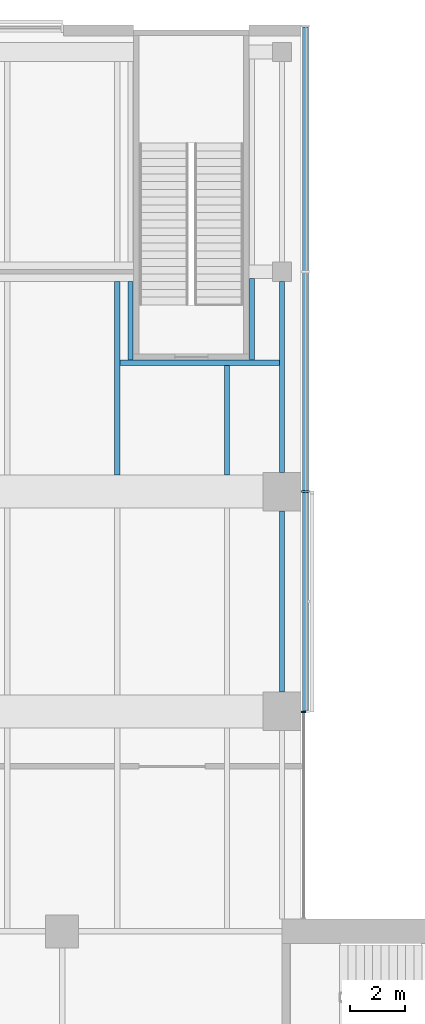
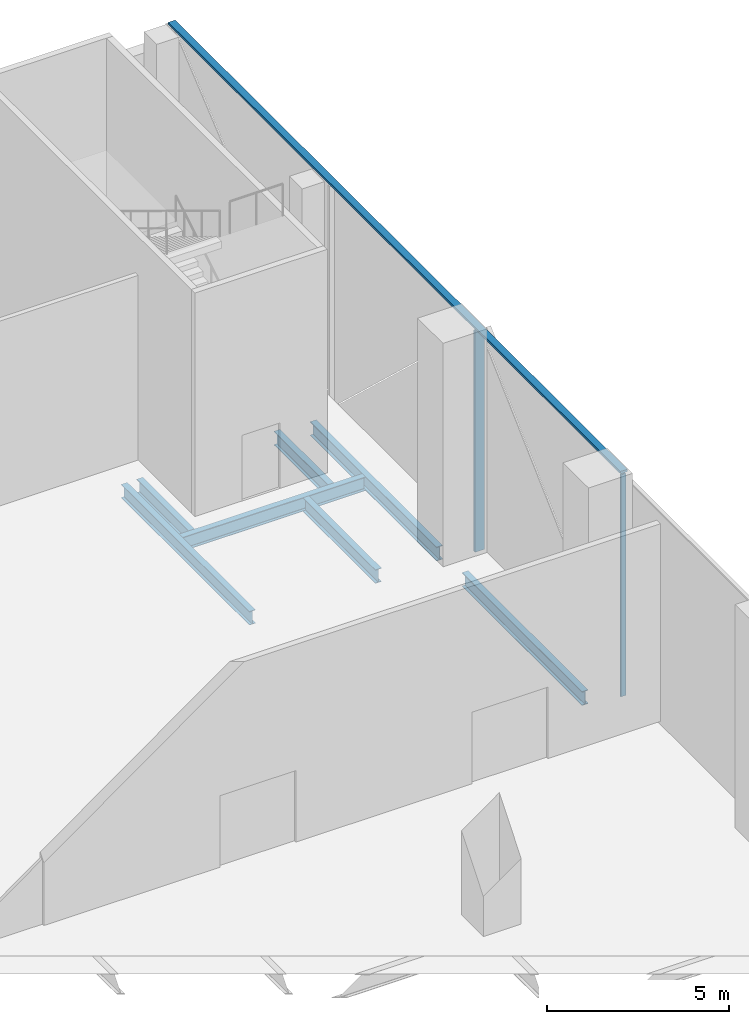
# One storey, part 10 of 25: 7 beams, 3 members, 2 elements without a shape of their own.
"""IFC4 building model written with IfcOpenShell, lengths in metres."""

from ifc_helpers import new_model, si_unit, direction, frame, origin, origin_2d, place, context, subcontext, project, spatial, rectangle, i_section, extrude, material, material_profile, profile_set, type_object, element, aggregate, save


model = new_model("IFC4")

# Units and contexts
model_context = context("Model", 3, precision=1e-05, world=origin(), true_north=direction((0.0, 1.0)))
body_context = subcontext(model_context, "Body", "Model", "MODEL_VIEW")
ifc_project = project(units=[si_unit("LENGTHUNIT", "METRE"), si_unit("AREAUNIT", "SQUARE_METRE"), si_unit("VOLUMEUNIT", "CUBIC_METRE"), si_unit("PLANEANGLEUNIT", "RADIAN"), si_unit("MASSUNIT", "GRAM", prefix="KILO")], contexts=[model_context])

# Site, building, storey
site_placement = place(None, origin())
site = spatial("IfcSite", under=ifc_project, at=site_placement, CompositionType="ELEMENT")
building_placement = place(site_placement, origin())
building = spatial("IfcBuilding", under=site, at=building_placement, Name="Crosswind Convention Tower", CompositionType="ELEMENT")
storey_placement = place(building_placement, frame((0.0, 0.0, 34.0)))
storey = spatial("IfcBuildingStorey", under=building, at=storey_placement, Name="L04", CompositionType="ELEMENT", Elevation=34.0)

# Beams
ifc_material_1 = material(Name="Steel S355", Category="steel")
ifc_material_profile_1 = material_profile(ifc_material_1, i_section(OverallWidth=0.19287109375, OverallDepth=0.467529296875, WebThickness=0.011474609375, FlangeThickness=0.01953125, FilletRadius=0.01025390625, at=origin_2d()), Name="UB 457x191x98")
ifc_profile_set_1 = profile_set([ifc_material_profile_1], Name="Steel S355")
beam_type_1 = type_object("IfcBeamType", Name="Edge beam UB 457x191x98", PredefinedType="SPANDREL", material=ifc_profile_set_1)
beam_1_placement = place(storey_placement, frame((137.0, 120.699951171875, -0.6337890625), z_axis=(0.0, 1.0, 0.0), x_axis=(-1.0, 0.0, 0.0)))
element("IfcBeam", 1, at=beam_1_placement, inside=storey, type_object=beam_type_1, Name="B20 L04 edge beam 18", PredefinedType="SPANDREL", context=body_context, shape_type="SweptSolid", body=[
    extrude(i_section(OverallWidth=0.19287109375, OverallDepth=0.467529296875, WebThickness=0.011474609375, FlangeThickness=0.01953125, FilletRadius=0.01025390625, at=origin_2d()), origin(), (0.0, 0.0, 1.0), 6.60009765625),
])
beam_2_placement = place(storey_placement, frame((137.0, 128.699951171875, -0.6337890625), z_axis=(0.0, 1.0, 0.0), x_axis=(-1.0, 0.0, 0.0)))
element("IfcBeam", 2, at=beam_2_placement, inside=storey, type_object=beam_type_1, Name="B20 L04 edge beam 19", PredefinedType="SPANDREL", context=body_context, shape_type="SweptSolid", body=[
    extrude(i_section(OverallWidth=0.19287109375, OverallDepth=0.467529296875, WebThickness=0.011474609375, FlangeThickness=0.01953125, FilletRadius=0.01025390625, at=origin_2d()), origin(), (0.0, 0.0, 1.0), 6.949951171875),
])

# Curtain wall, member
ifc_material_2 = material(Name="Aluminium unitised curtain wall", Category="aluminium")
curtain_wall_type_1 = type_object("IfcCurtainWallType", Name="CORE END SLOT WALL 160", PredefinedType="USERDEFINED", material=ifc_material_2)
curtain_wall_1_placement = place(storey_placement, origin())
curtain_wall_1 = element("IfcCurtainWall", 3, at=curtain_wall_1_placement, inside=storey, type_object=curtain_wall_type_1, Name="CW6 L04 N-E.1-1 slot", ObjectType="UNITISED", PredefinedType="USERDEFINED")
ifc_material_3 = material(Name="Aluminium mullion", Category="aluminium")
ifc_material_profile_2 = material_profile(ifc_material_3, rectangle(XDim=0.159912109375, YDim=0.050048828125, at=origin_2d()), Name="AL 160X50")
ifc_profile_set_2 = profile_set([ifc_material_profile_2], Name="Aluminium mullion")
member_type_1 = type_object("IfcMemberType", Name="MULLION 50X160", PredefinedType="MULLION", material=ifc_profile_set_2)
member_1_placement = place(storey_placement, frame((137.780029296875, 119.97509765625, -0.39990234375), z_axis=(0.0, 0.0, 1.0), x_axis=(1.0, 0.0, 0.0)))
member_1 = element("IfcMember", 4, at=member_1_placement, type_object=member_type_1, Name="CW6 mullion 2", PredefinedType="MULLION", context=body_context, shape_type="SweptSolid", body=[
    extrude(rectangle(XDim=0.159912109375, YDim=0.050048828125, at=origin_2d()), origin(), (0.0, 0.0, 1.0), 7.449951171875),
])
aggregate(curtain_wall_1, [member_1])

curtain_wall_type_2 = type_object("IfcCurtainWallType", Name="PODIUM UNITISED WALL 300", PredefinedType="USERDEFINED", material=ifc_material_2)
curtain_wall_2_placement = place(storey_placement, origin())
curtain_wall_2 = element("IfcCurtainWall", 5, at=curtain_wall_2_placement, inside=storey, type_object=curtain_wall_type_2, Name="CW1 L04 N-E 1", ObjectType="UNITISED", PredefinedType="USERDEFINED")
ifc_material_profile_3 = material_profile(ifc_material_3, rectangle(XDim=0.300048828125, YDim=0.080078125, at=origin_2d()), Name="AL 300X80")
ifc_profile_set_3 = profile_set([ifc_material_profile_3], Name="Aluminium mullion")
member_type_2 = type_object("IfcMemberType", Name="MULLION 80X300", PredefinedType="MULLION", material=ifc_profile_set_3)
member_2_placement = place(storey_placement, frame((137.85009765625, 128.0, -0.39990234375), z_axis=(0.0, 0.0, 1.0), x_axis=(1.0, 0.0, 0.0)))
member_2 = element("IfcMember", 6, at=member_2_placement, type_object=member_type_2, Name="CW1 mullion 2", PredefinedType="MULLION", context=body_context, shape_type="SweptSolid", body=[
    extrude(rectangle(XDim=0.300048828125, YDim=0.080078125, at=origin_2d()), origin(), (0.0, 0.0, 1.0), 7.419921875),
])

# Beams
ifc_material_profile_4 = material_profile(ifc_material_1, i_section(OverallWidth=0.19140625, OverallDepth=0.460205078125, WebThickness=0.010009765625, FlangeThickness=0.01611328125, FilletRadius=0.01025390625, at=origin_2d()), Name="UB 457x191x82")
ifc_profile_set_4 = profile_set([ifc_material_profile_4], Name="Steel S355")
beam_type_2 = type_object("IfcBeamType", Name="Secondary beam UB 457x191x82", PredefinedType="JOIST", material=ifc_profile_set_4)
beam_3_placement = place(storey_placement, frame((131.0, 128.60009765625, -0.630126953125), z_axis=(0.0, 1.0, 0.0), x_axis=(-1.0, 0.0, 0.0)))
element("IfcBeam", 7, at=beam_3_placement, inside=storey, type_object=beam_type_2, Name="B13 L04 secondary beam 56", PredefinedType="JOIST", context=body_context, shape_type="SweptSolid", body=[
    extrude(i_section(OverallWidth=0.19140625, OverallDepth=0.460205078125, WebThickness=0.010009765625, FlangeThickness=0.01611328125, FilletRadius=0.01025390625, at=origin_2d()), origin(), (0.0, 0.0, 1.0), 7.0498046875),
])
beam_4_placement = place(storey_placement, frame((135.0, 128.60009765625, -0.630126953125), z_axis=(0.0, 1.0, 0.0), x_axis=(-1.0, 0.0, 0.0)))
element("IfcBeam", 8, at=beam_4_placement, inside=storey, type_object=beam_type_2, Name="B13 L04 secondary beam 63", PredefinedType="JOIST", context=body_context, shape_type="SweptSolid", body=[
    extrude(i_section(OverallWidth=0.19140625, OverallDepth=0.460205078125, WebThickness=0.010009765625, FlangeThickness=0.01611328125, FilletRadius=0.01025390625, at=origin_2d()), origin(), (0.0, 0.0, 1.0), 3.993896484375),
])

# Member
ifc_material_4 = material(Name="Aluminium transom", Category="aluminium")
ifc_material_profile_5 = material_profile(ifc_material_4, rectangle(XDim=0.219970703125, YDim=0.080078125, at=origin_2d()), Name="AL 220X80")
ifc_profile_set_5 = profile_set([ifc_material_profile_5], Name="Aluminium transom")
member_type_3 = type_object("IfcMemberType", Name="TRANSOM 80X220", PredefinedType="USERDEFINED", material=ifc_profile_set_5)
member_3_placement = place(storey_placement, frame((137.85009765625, 120.0400390625, 7.06005859375), z_axis=(0.0, 1.0, 0.0), x_axis=(-1.0, 0.0, 0.0)))
member_3 = element("IfcMember", 9, at=member_3_placement, type_object=member_type_3, Name="CW1 transom", ObjectType="TRANSOM", PredefinedType="USERDEFINED", context=body_context, shape_type="SweptSolid", body=[
    extrude(rectangle(XDim=0.219970703125, YDim=0.080078125, at=origin_2d()), origin(), (0.0, 0.0, 1.0), 24.864990234375),
])

aggregate(curtain_wall_2, [member_2, member_3])

# Beams
ifc_material_profile_6 = material_profile(ifc_material_1, i_section(OverallWidth=0.19189453125, OverallDepth=0.463623046875, WebThickness=0.010498046875, FlangeThickness=0.017578125, FilletRadius=0.01025390625, at=origin_2d()), Name="UB 457x191x90")
ifc_profile_set_6 = profile_set([ifc_material_profile_6], Name="Steel S355")
beam_type_3 = type_object("IfcBeamType", Name="Trimmer beam UB 457x191x90", PredefinedType="BEAM", material=ifc_profile_set_6)
beam_5_placement = place(storey_placement, frame((131.095703125, 132.68994140625, -0.6318359375), z_axis=(1.0, 0.0, 0.0), x_axis=(0.0, 1.0, 0.0)))
element("IfcBeam", 10, at=beam_5_placement, inside=storey, type_object=beam_type_3, Name="B33 L04 trimmer beam 22", PredefinedType="BEAM", context=body_context, shape_type="SweptSolid", body=[
    extrude(i_section(OverallWidth=0.19189453125, OverallDepth=0.463623046875, WebThickness=0.010498046875, FlangeThickness=0.017578125, FilletRadius=0.01025390625, at=origin_2d()), origin(), (0.0, 0.0, 1.0), 5.807861328125),
])
beam_6_placement = place(storey_placement, frame((131.489990234375, 132.785888671875, -0.6318359375), z_axis=(0.0, 1.0, 0.0), x_axis=(-1.0, 0.0, 0.0)))
element("IfcBeam", 11, at=beam_6_placement, inside=storey, type_object=beam_type_3, Name="B33 L04 trimmer beam 25", PredefinedType="BEAM", context=body_context, shape_type="SweptSolid", body=[
    extrude(i_section(OverallWidth=0.19189453125, OverallDepth=0.463623046875, WebThickness=0.010498046875, FlangeThickness=0.017578125, FilletRadius=0.01025390625, at=origin_2d()), origin(), (0.0, 0.0, 1.0), 2.864013671875),
])
beam_7_placement = place(storey_placement, frame((135.909912109375, 132.785888671875, -0.6318359375), z_axis=(0.0, 1.0, 0.0), x_axis=(-1.0, 0.0, 0.0)))
element("IfcBeam", 12, at=beam_7_placement, inside=storey, type_object=beam_type_3, Name="B33 L04 trimmer beam 29", PredefinedType="BEAM", context=body_context, shape_type="SweptSolid", body=[
    extrude(i_section(OverallWidth=0.19189453125, OverallDepth=0.463623046875, WebThickness=0.010498046875, FlangeThickness=0.017578125, FilletRadius=0.01025390625, at=origin_2d()), origin(), (0.0, 0.0, 1.0), 2.964111328125),
])

save(model, "model.ifc")
